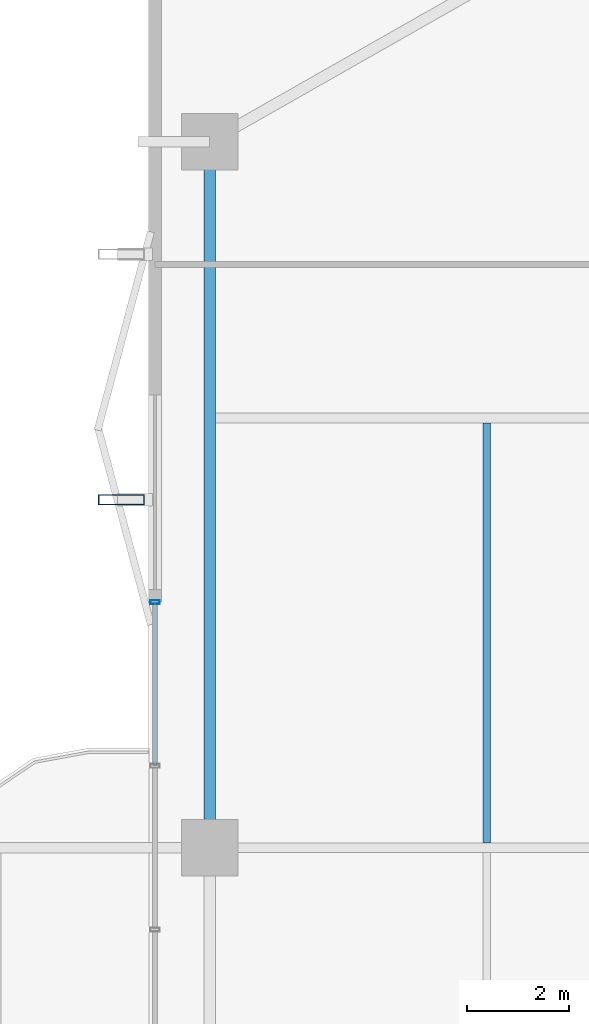
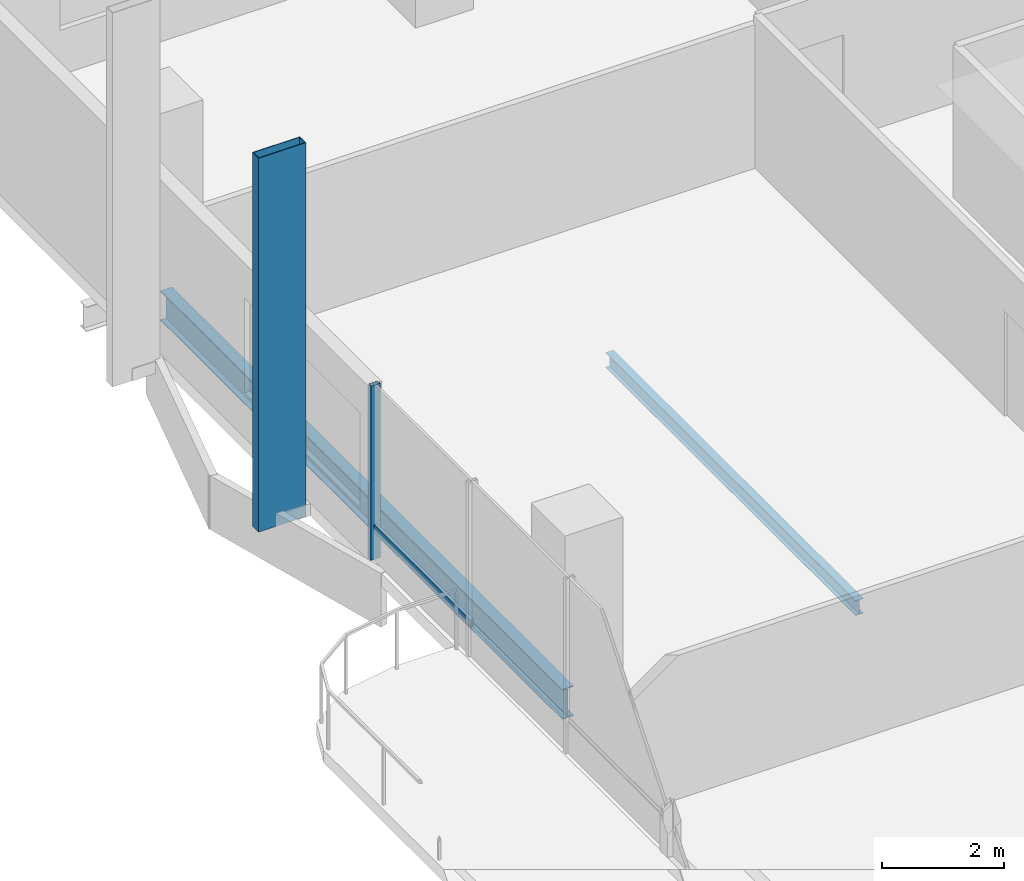
# One storey, part 9 of 24: 3 members, 2 beams, 1 element without a shape of its own.
"""IFC4 building model written with IfcOpenShell, lengths in metres."""

from ifc_helpers import new_model, si_unit, direction, frame, origin, origin_2d, place, context, subcontext, project, spatial, hollow_rectangle, i_section, extrude, material, layer, layer_set, material_profile, profile_set, type_object, element, aggregate, save


model = new_model("IFC4")

# Units and contexts
model_context = context("Model", 3, precision=1e-05, world=origin(), true_north=direction((0.0, 1.0)))
body_context = subcontext(model_context, "Body", "Model", "MODEL_VIEW")
ifc_project = project(units=[si_unit("LENGTHUNIT", "METRE"), si_unit("AREAUNIT", "SQUARE_METRE"), si_unit("VOLUMEUNIT", "CUBIC_METRE"), si_unit("PLANEANGLEUNIT", "RADIAN"), si_unit("MASSUNIT", "GRAM", prefix="KILO")], contexts=[model_context])

# Site, building, storey
site_placement = place(None, origin())
site = spatial("IfcSite", under=ifc_project, at=site_placement, CompositionType="ELEMENT")
building_placement = place(site_placement, origin())
building = spatial("IfcBuilding", under=site, at=building_placement, Name="Belovzor Exchange Tower", CompositionType="ELEMENT")
storey_placement = place(building_placement, frame((0.0, 0.0, 203.699951171875)))
storey = spatial("IfcBuildingStorey", under=building, at=storey_placement, Name="L50", CompositionType="ELEMENT", Elevation=203.699951171875)

# Beam
ifc_material_1 = material(Name="Steel S355", Category="steel")
ifc_material_profile_1 = material_profile(ifc_material_1, i_section(OverallWidth=0.14990234375, OverallDepth=0.300048828125, WebThickness=0.007080078125, FlangeThickness=0.0107421875, at=origin_2d()))
ifc_profile_set_1 = profile_set([ifc_material_profile_1], Name="Steel S355")
beam_type_1 = type_object("IfcBeamType", Name="Secondary Trim Floor Joist IPE 300", PredefinedType="BEAM", material=ifc_profile_set_1)
beam_1_placement = place(storey_placement, frame((8.4130859375, 28.89501953125, -0.39990234375), z_axis=(0.0, 1.0, 0.0), x_axis=(-1.0, 0.0, 0.0)))
element("IfcBeam", 1, at=beam_1_placement, inside=storey, type_object=beam_type_1, Name="FJ-300 Secondary Trim Floor Joist IPE 300", PredefinedType="BEAM", context=body_context, shape_type="SweptSolid", body=[
    extrude(i_section(OverallWidth=0.14990234375, OverallDepth=0.300048828125, WebThickness=0.007080078125, FlangeThickness=0.0107421875, at=origin_2d()), origin(), (0.0, 0.0, 1.0), 8.2099609375),
])

# Member
ifc_material_2 = material(Name="Extruded Architectural Terracotta on Steel S355 Carrier", Category="masonry")
ifc_material_profile_2 = material_profile(ifc_material_2, hollow_rectangle(XDim=0.199951171875, YDim=0.89990234375, WallThickness=0.011962890625, at=origin_2d()))
ifc_profile_set_2 = profile_set([ifc_material_profile_2], Name="Extruded Architectural Terracotta on Steel S355 Carrier")
member_type_1 = type_object("IfcMemberType", Name="Sweeping Terracotta Baguette Fin Assembly 950", PredefinedType="USERDEFINED", material=ifc_profile_set_2)
member_1_placement = place(storey_placement, frame((1.27490234375, 35.60009765625, -0.25), z_axis=(0.0, 0.0, 1.0), x_axis=(0.0, 1.0, 0.0)))
element("IfcMember", 2, at=member_1_placement, inside=storey, type_object=member_type_1, Name="FIN-TC095 Terracotta Facade Fin L50 W3", ObjectType="FIN", PredefinedType="USERDEFINED", context=body_context, shape_type="SweptSolid", body=[
    extrude(hollow_rectangle(XDim=0.199951171875, YDim=0.89990234375, WallThickness=0.011962890625, at=origin_2d()), origin(), (0.0, 0.0, 1.0), 7.5),
])

# Curtain wall, members
ifc_material_3 = material(Name="Anodised Aluminium Framing", Category="aluminium")
ifc_layer = layer(ifc_material_3, 0.179931640625)
ifc_layer_set = layer_set([ifc_layer], Name="Anodised Aluminium Framing")
curtain_wall_type = type_object("IfcCurtainWallType", Name="Recessed Loggia Low-Iron Triple-Glazed Curtain Wall", PredefinedType="NOTDEFINED", material=ifc_layer_set)
curtain_wall_placement = place(storey_placement, origin())
curtain_wall = element("IfcCurtainWall", 3, at=curtain_wall_placement, inside=storey, type_object=curtain_wall_type, Name="CW3 Recessed Loggia Low-Iron Triple-Glazed Curtain Wall L50", PredefinedType="NOTDEFINED")
ifc_material_4 = material(Name="Steel S355", Category="steel")
ifc_material_profile_3 = material_profile(ifc_material_4, hollow_rectangle(XDim=0.074951171875, YDim=0.179931640625, WallThickness=0.0048828125, at=origin_2d()))
ifc_profile_set_3 = profile_set([ifc_material_profile_3], Name="Steel S355")
member_type_2 = type_object("IfcMemberType", Name="Thermally Broken Curtain Wall Mullion 180x75", PredefinedType="MULLION", material=ifc_profile_set_3)
member_2_placement = place(storey_placement, frame((1.929931640625, 33.60009765625, 0.0), z_axis=(0.0, 0.0, 1.0), x_axis=(0.0, 1.0, 0.0)))
member_2 = element("IfcMember", 4, at=member_2_placement, type_object=member_type_2, Name="CW-M180 Curtain Wall Mullion 4", PredefinedType="MULLION", context=body_context, shape_type="SweptSolid", body=[
    extrude(hollow_rectangle(XDim=0.074951171875, YDim=0.179931640625, WallThickness=0.0048828125, at=origin_2d()), origin(), (0.0, 0.0, 1.0), 3.5),
])
ifc_material_5 = material(Name="Steel S355", Category="steel")
ifc_material_profile_4 = material_profile(ifc_material_5, hollow_rectangle(XDim=0.06005859375, YDim=0.14990234375, WallThickness=0.00390625, at=origin_2d()))
ifc_profile_set_4 = profile_set([ifc_material_profile_4], Name="Steel S355")
member_type_3 = type_object("IfcMemberType", Name="Thermally Broken Curtain Wall Transom 150x60", PredefinedType="USERDEFINED", material=ifc_profile_set_4)
member_3_placement = place(storey_placement, frame((1.929931640625, 30.407958984375, 0.630126953125), z_axis=(0.0, 1.0, 0.0), x_axis=(-1.0, 0.0, 0.0)))
member_3 = element("IfcMember", 5, at=member_3_placement, type_object=member_type_3, Name="CW-T150 Curtain Wall Transom 3", ObjectType="TRANSOM", PredefinedType="USERDEFINED", context=body_context, shape_type="SweptSolid", body=[
    extrude(hollow_rectangle(XDim=0.06005859375, YDim=0.14990234375, WallThickness=0.00390625, at=origin_2d()), origin(), (0.0, 0.0, 1.0), 3.18408203125),
])
aggregate(curtain_wall, [member_2, member_3])

# Beam
ifc_material_6 = material(Name="Steel S355", Category="steel")
ifc_material_profile_5 = material_profile(ifc_material_6, i_section(OverallWidth=0.219970703125, OverallDepth=0.60009765625, WebThickness=0.011962890625, FlangeThickness=0.01904296875, at=origin_2d()))
ifc_profile_set_5 = profile_set([ifc_material_profile_5], Name="Steel S355")
beam_type_2 = type_object("IfcBeamType", Name="Zone 4 Flare Primary Girder IPE 600", PredefinedType="BEAM", material=ifc_profile_set_5)
beam_2_placement = place(storey_placement, frame((3.0, 42.297119140625, -0.550048828125), z_axis=(0.0, -1.0, 0.0), x_axis=(1.0, 0.0, 0.0)))
element("IfcBeam", 6, at=beam_2_placement, inside=storey, type_object=beam_type_2, Name="FG-Z4 Zone 4 Flare Primary Girder IPE 600", PredefinedType="BEAM", context=body_context, shape_type="SweptSolid", body=[
    extrude(i_section(OverallWidth=0.219970703125, OverallDepth=0.60009765625, WebThickness=0.011962890625, FlangeThickness=0.01904296875, at=origin_2d()), origin(), (0.0, 0.0, 1.0), 13.195068359375),
])

save(model, "model.ifc")
